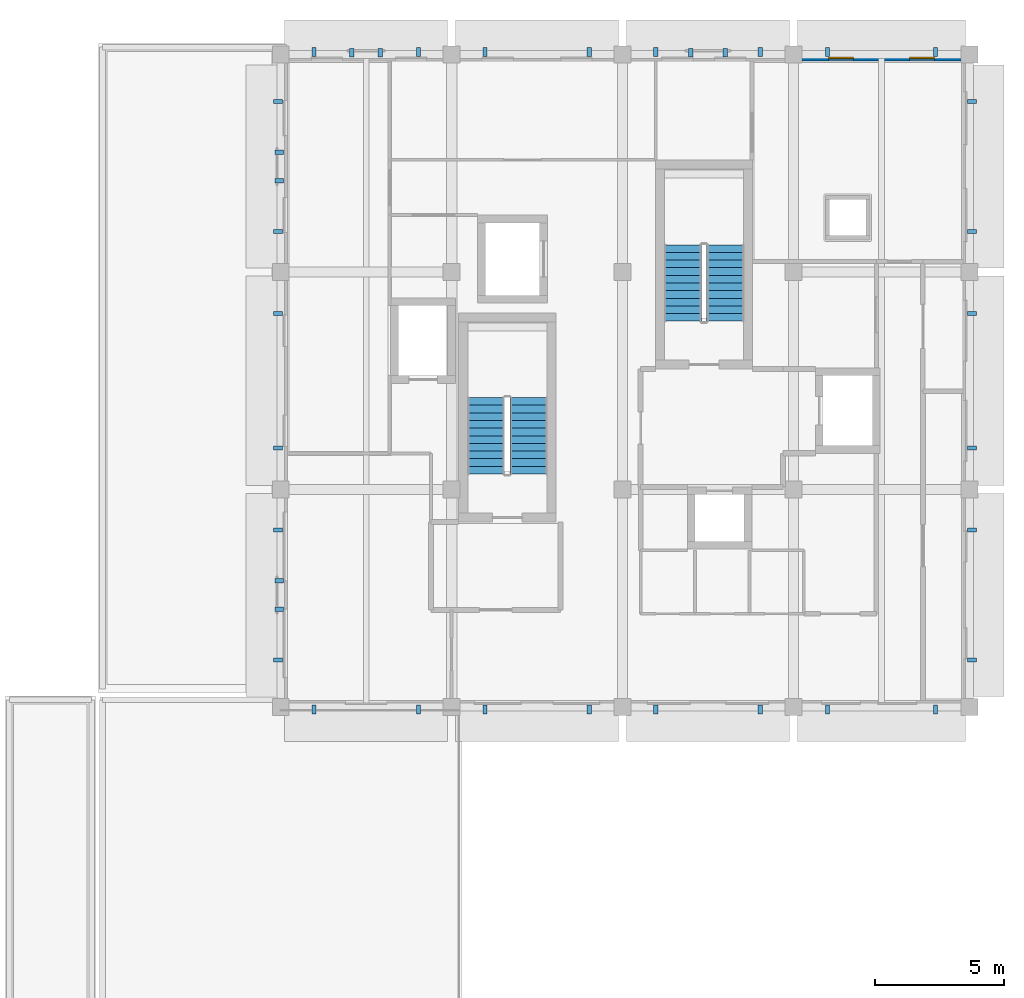
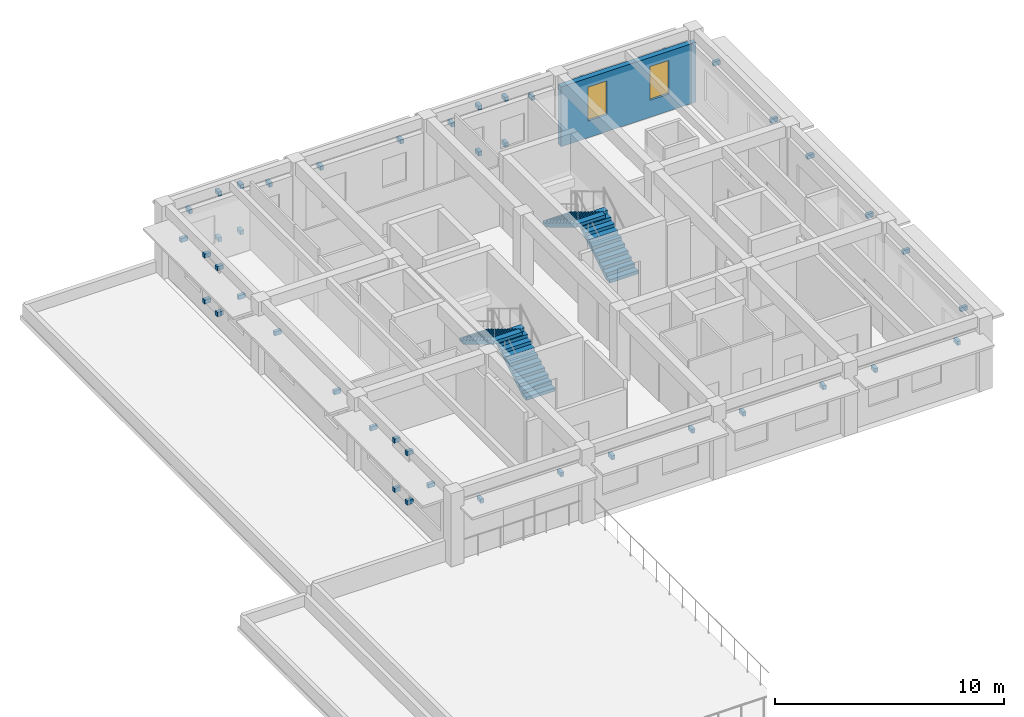
# One storey, part 5 of 7: 44 discrete accessories, 4 stair flights, 2 windows, 1 wall, 2 openings, 2 elements without a shape of their own.
"""IFC4 building model written with IfcOpenShell, lengths in metres."""

from ifc_helpers import new_model, si_unit, direction, frame, frame_2d, origin, origin_2d, place, context, subcontext, project, spatial, polyline, rectangle, outline, extrude, material, layer, layer_set, type_object, element, fill, aggregate, save


model = new_model("IFC4")

# Units and contexts
model_context = context("Model", 3, precision=1e-05, world=origin(), true_north=direction((0.0, 1.0)))
body_context = subcontext(model_context, "Body", "Model", "MODEL_VIEW")
ifc_project = project(units=[si_unit("LENGTHUNIT", "METRE"), si_unit("AREAUNIT", "SQUARE_METRE"), si_unit("VOLUMEUNIT", "CUBIC_METRE"), si_unit("PLANEANGLEUNIT", "RADIAN"), si_unit("MASSUNIT", "GRAM", prefix="KILO")], contexts=[model_context])

# Site, building, storey
site_placement = place(None, origin())
site = spatial("IfcSite", under=ifc_project, at=site_placement, CompositionType="ELEMENT")
building_placement = place(site_placement, origin())
building = spatial("IfcBuilding", under=site, at=building_placement, Name="Kolvaren Faculty of Natural Sciences", CompositionType="ELEMENT")
storey_placement = place(building_placement, frame((0.0, 0.0, 32.699951171875)))
storey = spatial("IfcBuildingStorey", under=building, at=storey_placement, Name="L07", CompositionType="ELEMENT", Elevation=32.699951171875)

# Wall, openings, windows
ifc_material_1 = material(Name="Precast concrete C35/45", Category="concrete")
ifc_layer = layer(ifc_material_1, 0.260009765625)
ifc_layer_set = layer_set([ifc_layer], Name="Precast concrete C35/45")
wall_type = type_object("IfcWallType", Name="ExteriorPrecastWall_260", PredefinedType="STANDARD", material=ifc_layer_set)
wall_placement = place(storey_placement, frame((165.199951171875, 84.070068359375, 0.0), z_axis=(0.0, 0.0, 1.0), x_axis=(1.0, 0.0, 0.0)))
wall = element("IfcWall", 1, at=wall_placement, inside=storey, type_object=wall_type, Name="L07 exterior masonry wall EW-260 (718)", PredefinedType="STANDARD", context=body_context, shape_type="SweptSolid", body=[
    extrude(rectangle(XDim=6.800048828125, YDim=0.260009765625, at=frame_2d((3.39990234375, 0.0))), origin(), (0.0, 0.0, 1.0), 3.18505859375),
])
opening_1_placement = place(wall_placement, frame((1.361083984375, 0.0, 0.89990234375)))
opening_1 = element("IfcOpeningElement", 2, at=opening_1_placement, cuts=wall, Name="Opening WIN-23", PredefinedType="OPENING", context=body_context, shape_type="SweptSolid", body=[
    extrude(rectangle(XDim=0.949951171875, YDim=1.800048828125, at=frame_2d((0.47509765625, 0.89990234375))), frame((0.0, 0.139892578125, 0.0), z_axis=(0.0, -1.0, 0.0), x_axis=(1.0, 0.0, 0.0)), (0.0, 0.0, 1.0), 0.280029296875),
])
opening_2_placement = place(wall_placement, frame((4.489013671875, 0.0, 0.89990234375)))
opening_2 = element("IfcOpeningElement", 3, at=opening_2_placement, cuts=wall, Name="Opening WIN-23", PredefinedType="OPENING", context=body_context, shape_type="SweptSolid", body=[
    extrude(rectangle(XDim=0.949951171875, YDim=1.800048828125, at=frame_2d((0.47509765625, 0.89990234375))), frame((0.0, 0.139892578125, 0.0), z_axis=(0.0, -1.0, 0.0), x_axis=(1.0, 0.0, 0.0)), (0.0, 0.0, 1.0), 0.280029296875),
])
ifc_material_2 = material(Name="Double low-E solar control insulated glazing", Category="glass")
window_type = type_object("IfcWindowType", Name="AluWindow_WIN23_950x1800", PartitioningType="SINGLE_PANEL", PredefinedType="WINDOW", material=ifc_material_2)
window_1_placement = place(opening_1_placement, origin())
window_1 = element("IfcWindow", 4, at=window_1_placement, inside=storey, type_object=window_type, Name="WIN-L07-0569", OverallHeight=1.800048828125, OverallWidth=0.949951171875, PartitioningType="SINGLE_PANEL", PredefinedType="WINDOW", context=body_context, shape_type="SweptSolid", body=[
    extrude(rectangle(XDim=0.949951171875, YDim=1.800048828125, at=frame_2d((0.47509765625, 0.89990234375))), frame((0.0, 0.030029296875, 0.0), z_axis=(0.0, -1.0, 0.0), x_axis=(1.0, 0.0, 0.0)), (0.0, 0.0, 1.0), 0.06005859375),
])
fill(opening_1, window_1)
window_2_placement = place(opening_2_placement, origin())
window_2 = element("IfcWindow", 5, at=window_2_placement, inside=storey, type_object=window_type, Name="WIN-L07-0570", OverallHeight=1.800048828125, OverallWidth=0.949951171875, PartitioningType="SINGLE_PANEL", PredefinedType="WINDOW", context=body_context, shape_type="SweptSolid", body=[
    extrude(rectangle(XDim=0.949951171875, YDim=1.800048828125, at=frame_2d((0.47509765625, 0.89990234375))), frame((0.0, 0.030029296875, 0.0), z_axis=(0.0, -1.0, 0.0), x_axis=(1.0, 0.0, 0.0)), (0.0, 0.0, 1.0), 0.06005859375),
])
fill(opening_2, window_2)

# Stair, stair flights
ifc_material_3 = material(Name="Concrete C35/45", Category="concrete")
stair_type = type_object("IfcStairType", Name="DoglegStair_H3900", PredefinedType="HALF_TURN_STAIR", material=ifc_material_3)
stair_1_placement = place(storey_placement, origin())
stair_1 = element("IfcStair", 6, at=stair_1_placement, inside=storey, type_object=stair_type, Name="L07 Protected exit stair ST-1", PredefinedType="HALF_TURN_STAIR")
stair_flight_type = type_object("IfcStairFlightType", Name="StairFlight_R1773", PredefinedType="STRAIGHT", material=ifc_material_3)
stair_flight_1_placement = place(storey_placement, frame((162.574951171875, 73.89990234375, 0.0), z_axis=(0.0, 0.0, 1.0), x_axis=(0.0, 1.0, 0.0)))
stair_flight_1 = element("IfcStairFlight", 7, at=stair_flight_1_placement, type_object=stair_flight_type, Name="ST-1 flight 1", NumberOfRisers=11, NumberOfTreads=10, PredefinedType="STRAIGHT", RiserHeight=0.177272727, TreadLength=0.295, context=body_context, shape_type="SweptSolid", body=[
    extrude(outline(polyline([(0.0, 0.0), (0.0, 0.17724609375), (0.294921875, 0.17724609375), (0.294921875, 0.3544921875), (0.590087890625, 0.3544921875), (0.590087890625, 0.53173828125), (0.885009765625, 0.53173828125), (0.885009765625, 0.708984375), (1.179931640625, 0.708984375), (1.179931640625, 0.886474609375), (1.47509765625, 0.886474609375), (1.47509765625, 1.063720703125), (1.77001953125, 1.063720703125), (1.77001953125, 1.240966796875), (2.06494140625, 1.240966796875), (2.06494140625, 1.418212890625), (2.360107421875, 1.418212890625), (2.360107421875, 1.595458984375), (2.655029296875, 1.595458984375), (2.655029296875, 1.772705078125), (2.949951171875, 1.772705078125), (2.949951171875, 1.949951171875), (2.949951171875, 1.597900390625), (0.291015625, 0.0), (0.0, 0.0)])), frame((0.0, 0.72509765625, 0.0), z_axis=(0.0, -1.0, 0.0), x_axis=(1.0, 0.0, 0.0)), (0.0, 0.0, 1.0), 1.449951171875),
])
stair_flight_2_placement = place(storey_placement, frame((160.925048828125, 76.85009765625, 1.949951171875), z_axis=(0.0, 0.0, 1.0), x_axis=(0.0, -1.0, 0.0)))
stair_flight_2 = element("IfcStairFlight", 8, at=stair_flight_2_placement, type_object=stair_flight_type, Name="ST-1 flight 2", NumberOfRisers=11, NumberOfTreads=10, PredefinedType="STRAIGHT", RiserHeight=0.177272727, TreadLength=0.295, context=body_context, shape_type="SweptSolid", body=[
    extrude(outline(polyline([(0.0, 0.0), (0.0, 0.17724609375), (0.294921875, 0.17724609375), (0.294921875, 0.3544921875), (0.590087890625, 0.3544921875), (0.590087890625, 0.53173828125), (0.885009765625, 0.53173828125), (0.885009765625, 0.708984375), (1.179931640625, 0.708984375), (1.179931640625, 0.886474609375), (1.47509765625, 0.886474609375), (1.47509765625, 1.063720703125), (1.77001953125, 1.063720703125), (1.77001953125, 1.240966796875), (2.06494140625, 1.240966796875), (2.06494140625, 1.418212890625), (2.360107421875, 1.418212890625), (2.360107421875, 1.595458984375), (2.655029296875, 1.595458984375), (2.655029296875, 1.772705078125), (2.949951171875, 1.772705078125), (2.949951171875, 1.949951171875), (2.949951171875, 1.597900390625), (0.291015625, 0.0), (0.0, 0.0)])), frame((0.0, 0.72509765625, 0.0), z_axis=(0.0, -1.0, 0.0), x_axis=(1.0, 0.0, 0.0)), (0.0, 0.0, 1.0), 1.449951171875),
])
aggregate(stair_1, [stair_flight_1, stair_flight_2])

stair_2_placement = place(storey_placement, origin())
stair_2 = element("IfcStair", 9, at=stair_2_placement, inside=storey, type_object=stair_type, Name="L07 Protected exit stair ST-2", PredefinedType="HALF_TURN_STAIR")
stair_flight_3_placement = place(storey_placement, frame((154.97509765625, 68.0, 0.0), z_axis=(0.0, 0.0, 1.0), x_axis=(0.0, 1.0, 0.0)))
stair_flight_3 = element("IfcStairFlight", 10, at=stair_flight_3_placement, type_object=stair_flight_type, Name="ST-2 flight 1", NumberOfRisers=11, NumberOfTreads=10, PredefinedType="STRAIGHT", RiserHeight=0.177272727, TreadLength=0.295, context=body_context, shape_type="SweptSolid", body=[
    extrude(outline(polyline([(0.0, 0.0), (0.0, 0.17724609375), (0.294921875, 0.17724609375), (0.294921875, 0.3544921875), (0.590087890625, 0.3544921875), (0.590087890625, 0.53173828125), (0.885009765625, 0.53173828125), (0.885009765625, 0.708984375), (1.179931640625, 0.708984375), (1.179931640625, 0.886474609375), (1.47509765625, 0.886474609375), (1.47509765625, 1.063720703125), (1.77001953125, 1.063720703125), (1.77001953125, 1.240966796875), (2.06494140625, 1.240966796875), (2.06494140625, 1.418212890625), (2.360107421875, 1.418212890625), (2.360107421875, 1.595458984375), (2.655029296875, 1.595458984375), (2.655029296875, 1.772705078125), (2.949951171875, 1.772705078125), (2.949951171875, 1.949951171875), (2.949951171875, 1.597900390625), (0.291015625, 0.0), (0.0, 0.0)])), frame((0.0, 0.72509765625, 0.0), z_axis=(0.0, -1.0, 0.0), x_axis=(1.0, 0.0, 0.0)), (0.0, 0.0, 1.0), 1.449951171875),
])
stair_flight_4_placement = place(storey_placement, frame((153.324951171875, 70.949951171875, 1.949951171875), z_axis=(0.0, 0.0, 1.0), x_axis=(0.0, -1.0, 0.0)))
stair_flight_4 = element("IfcStairFlight", 11, at=stair_flight_4_placement, type_object=stair_flight_type, Name="ST-2 flight 2", NumberOfRisers=11, NumberOfTreads=10, PredefinedType="STRAIGHT", RiserHeight=0.177272727, TreadLength=0.295, context=body_context, shape_type="SweptSolid", body=[
    extrude(outline(polyline([(0.0, 0.0), (0.0, 0.17724609375), (0.294921875, 0.17724609375), (0.294921875, 0.3544921875), (0.590087890625, 0.3544921875), (0.590087890625, 0.53173828125), (0.885009765625, 0.53173828125), (0.885009765625, 0.708984375), (1.179931640625, 0.708984375), (1.179931640625, 0.886474609375), (1.47509765625, 0.886474609375), (1.47509765625, 1.063720703125), (1.77001953125, 1.063720703125), (1.77001953125, 1.240966796875), (2.06494140625, 1.240966796875), (2.06494140625, 1.418212890625), (2.360107421875, 1.418212890625), (2.360107421875, 1.595458984375), (2.655029296875, 1.595458984375), (2.655029296875, 1.772705078125), (2.949951171875, 1.772705078125), (2.949951171875, 1.949951171875), (2.949951171875, 1.597900390625), (0.291015625, 0.0), (0.0, 0.0)])), frame((0.0, 0.72509765625, 0.0), z_axis=(0.0, -1.0, 0.0), x_axis=(1.0, 0.0, 0.0)), (0.0, 0.0, 1.0), 1.449951171875),
])
aggregate(stair_2, [stair_flight_3, stair_flight_4])

# Discrete accessories
ifc_material_4 = material(Name="Structural steel EN 10025-2 S355J2", Category="steel")
discrete_accessory_type = type_object("IfcDiscreteAccessoryType", Name="FacadeSupportBracket_260", PredefinedType="BRACKET", material=ifc_material_4)
for number, where, z_axis, x_axis, name in (
    (12, (172.10009765625, 82.37890625, 2.9150390625), (0.0, 0.0, 1.0), (0.0, -1.0, 0.0), "L07 chhajja hood steel bracket"),
    (13, (172.10009765625, 77.361083984375, 2.9150390625), (0.0, 0.0, 1.0), (0.0, -1.0, 0.0), "L07 chhajja hood steel bracket"),
    (14, (172.10009765625, 74.19189453125, 2.9150390625), (0.0, 0.0, 1.0), (0.0, -1.0, 0.0), "L07 chhajja hood steel bracket"),
    (15, (172.10009765625, 69.008056640625, 2.9150390625), (0.0, 0.0, 1.0), (0.0, -1.0, 0.0), "L07 chhajja hood steel bracket"),
    (16, (172.10009765625, 65.8388671875, 2.9150390625), (0.0, 0.0, 1.0), (0.0, -1.0, 0.0), "L07 chhajja hood steel bracket"),
    (17, (172.10009765625, 60.8212890625, 2.9150390625), (0.0, 0.0, 1.0), (0.0, -1.0, 0.0), "L07 chhajja hood steel bracket"),
    (18, (146.68408203125, 84.300048828125, 2.81494140625), (0.0, 0.0, 1.0), (1.0, 0.0, 0.0), "L07 chhajja hood steel bracket"),
    (19, (150.716064453125, 84.300048828125, 2.81494140625), (0.0, 0.0, 1.0), (1.0, 0.0, 0.0), "L07 chhajja hood steel bracket"),
):
    element("IfcDiscreteAccessory", number, at=place(storey_placement, frame(where, z_axis=z_axis, x_axis=x_axis)), inside=storey, type_object=discrete_accessory_type, Name=name, PredefinedType="BRACKET", context=body_context, shape_type="SweptSolid", body=[
        extrude(rectangle(XDim=0.159912109375, YDim=0.340087890625, at=origin_2d()), origin(), (0.0, 0.0, 1.0), 0.219970703125),
    ])
for number, where, z_axis, x_axis, name in (
    (20, (148.14892578125, 84.260009765625, 0.81982421875), (0.0, 0.0, 1.0), (1.0, 0.0, 0.0), "L07 jali screen wall bracket"),
    (21, (149.2509765625, 84.260009765625, 0.81982421875), (0.0, 0.0, 1.0), (1.0, 0.0, 0.0), "L07 jali screen wall bracket"),
    (22, (148.14892578125, 84.260009765625, 3.26025390625), (0.0, 0.0, 1.0), (1.0, 0.0, 0.0), "L07 jali screen wall bracket"),
    (23, (149.2509765625, 84.260009765625, 3.26025390625), (0.0, 0.0, 1.0), (1.0, 0.0, 0.0), "L07 jali screen wall bracket"),
):
    element("IfcDiscreteAccessory", number, at=place(storey_placement, frame(where, z_axis=z_axis, x_axis=x_axis)), inside=storey, type_object=discrete_accessory_type, Name=name, PredefinedType="BRACKET", context=body_context, shape_type="SweptSolid", body=[
        extrude(rectangle(XDim=0.179931640625, YDim=0.320068359375, at=origin_2d()), origin(), (0.0, 0.0, 1.0), 0.219970703125),
    ])
for number, where, z_axis, x_axis, name in (
    (24, (153.283935546875, 84.300048828125, 2.81494140625), (0.0, 0.0, 1.0), (1.0, 0.0, 0.0), "L07 chhajja hood steel bracket"),
    (25, (157.31591796875, 84.300048828125, 2.81494140625), (0.0, 0.0, 1.0), (1.0, 0.0, 0.0), "L07 chhajja hood steel bracket"),
    (26, (159.884033203125, 84.300048828125, 2.81494140625), (0.0, 0.0, 1.0), (1.0, 0.0, 0.0), "L07 chhajja hood steel bracket"),
    (27, (163.916015625, 84.300048828125, 2.81494140625), (0.0, 0.0, 1.0), (1.0, 0.0, 0.0), "L07 chhajja hood steel bracket"),
):
    element("IfcDiscreteAccessory", number, at=place(storey_placement, frame(where, z_axis=z_axis, x_axis=x_axis)), inside=storey, type_object=discrete_accessory_type, Name=name, PredefinedType="BRACKET", context=body_context, shape_type="SweptSolid", body=[
        extrude(rectangle(XDim=0.159912109375, YDim=0.340087890625, at=origin_2d()), origin(), (0.0, 0.0, 1.0), 0.219970703125),
    ])
for number, where, z_axis, x_axis, name in (
    (28, (161.235107421875, 84.260009765625, 0.81982421875), (0.0, 0.0, 1.0), (1.0, 0.0, 0.0), "L07 jali screen wall bracket"),
    (29, (162.56494140625, 84.260009765625, 0.81982421875), (0.0, 0.0, 1.0), (1.0, 0.0, 0.0), "L07 jali screen wall bracket"),
    (30, (161.235107421875, 84.260009765625, 3.26025390625), (0.0, 0.0, 1.0), (1.0, 0.0, 0.0), "L07 jali screen wall bracket"),
    (31, (162.56494140625, 84.260009765625, 3.26025390625), (0.0, 0.0, 1.0), (1.0, 0.0, 0.0), "L07 jali screen wall bracket"),
):
    element("IfcDiscreteAccessory", number, at=place(storey_placement, frame(where, z_axis=z_axis, x_axis=x_axis)), inside=storey, type_object=discrete_accessory_type, Name=name, PredefinedType="BRACKET", context=body_context, shape_type="SweptSolid", body=[
        extrude(rectangle(XDim=0.179931640625, YDim=0.320068359375, at=origin_2d()), origin(), (0.0, 0.0, 1.0), 0.219970703125),
    ])
for number, where, z_axis, x_axis, name in (
    (32, (166.52001953125, 84.300048828125, 2.81494140625), (0.0, 0.0, 1.0), (1.0, 0.0, 0.0), "L07 chhajja hood steel bracket"),
    (33, (170.679931640625, 84.300048828125, 2.81494140625), (0.0, 0.0, 1.0), (1.0, 0.0, 0.0), "L07 chhajja hood steel bracket"),
    (34, (145.300048828125, 60.8212890625, 2.9150390625), (0.0, 0.0, 1.0), (0.0, 1.0, 0.0), "L07 chhajja hood steel bracket"),
    (35, (145.300048828125, 65.8388671875, 2.9150390625), (0.0, 0.0, 1.0), (0.0, 1.0, 0.0), "L07 chhajja hood steel bracket"),
):
    element("IfcDiscreteAccessory", number, at=place(storey_placement, frame(where, z_axis=z_axis, x_axis=x_axis)), inside=storey, type_object=discrete_accessory_type, Name=name, PredefinedType="BRACKET", context=body_context, shape_type="SweptSolid", body=[
        extrude(rectangle(XDim=0.159912109375, YDim=0.340087890625, at=origin_2d()), origin(), (0.0, 0.0, 1.0), 0.219970703125),
    ])
for number, where, z_axis, x_axis, name in (
    (36, (145.340087890625, 62.779052734375, 0.81982421875), (0.0, 0.0, 1.0), (0.0, 1.0, 0.0), "L07 jali screen wall bracket"),
    (37, (145.340087890625, 63.881103515625, 0.81982421875), (0.0, 0.0, 1.0), (0.0, 1.0, 0.0), "L07 jali screen wall bracket"),
    (38, (145.340087890625, 62.779052734375, 3.44482421875), (0.0, 0.0, 1.0), (0.0, 1.0, 0.0), "L07 jali screen wall bracket"),
    (39, (145.340087890625, 63.881103515625, 3.44482421875), (0.0, 0.0, 1.0), (0.0, 1.0, 0.0), "L07 jali screen wall bracket"),
):
    element("IfcDiscreteAccessory", number, at=place(storey_placement, frame(where, z_axis=z_axis, x_axis=x_axis)), inside=storey, type_object=discrete_accessory_type, Name=name, PredefinedType="BRACKET", context=body_context, shape_type="SweptSolid", body=[
        extrude(rectangle(XDim=0.179931640625, YDim=0.320068359375, at=origin_2d()), origin(), (0.0, 0.0, 1.0), 0.219970703125),
    ])
for number, where, z_axis, x_axis, name in (
    (40, (145.300048828125, 69.008056640625, 2.9150390625), (0.0, 0.0, 1.0), (0.0, 1.0, 0.0), "L07 chhajja hood steel bracket"),
    (41, (145.300048828125, 74.19189453125, 2.9150390625), (0.0, 0.0, 1.0), (0.0, 1.0, 0.0), "L07 chhajja hood steel bracket"),
    (42, (145.300048828125, 77.361083984375, 2.9150390625), (0.0, 0.0, 1.0), (0.0, 1.0, 0.0), "L07 chhajja hood steel bracket"),
    (43, (145.300048828125, 82.37890625, 2.9150390625), (0.0, 0.0, 1.0), (0.0, 1.0, 0.0), "L07 chhajja hood steel bracket"),
):
    element("IfcDiscreteAccessory", number, at=place(storey_placement, frame(where, z_axis=z_axis, x_axis=x_axis)), inside=storey, type_object=discrete_accessory_type, Name=name, PredefinedType="BRACKET", context=body_context, shape_type="SweptSolid", body=[
        extrude(rectangle(XDim=0.159912109375, YDim=0.340087890625, at=origin_2d()), origin(), (0.0, 0.0, 1.0), 0.219970703125),
    ])
for number, where, z_axis, x_axis, name in (
    (44, (145.340087890625, 79.319091796875, 0.81982421875), (0.0, 0.0, 1.0), (0.0, 1.0, 0.0), "L07 jali screen wall bracket"),
    (45, (145.340087890625, 80.4208984375, 0.81982421875), (0.0, 0.0, 1.0), (0.0, 1.0, 0.0), "L07 jali screen wall bracket"),
    (46, (145.340087890625, 79.319091796875, 3.26025390625), (0.0, 0.0, 1.0), (0.0, 1.0, 0.0), "L07 jali screen wall bracket"),
    (47, (145.340087890625, 80.4208984375, 3.26025390625), (0.0, 0.0, 1.0), (0.0, 1.0, 0.0), "L07 jali screen wall bracket"),
):
    element("IfcDiscreteAccessory", number, at=place(storey_placement, frame(where, z_axis=z_axis, x_axis=x_axis)), inside=storey, type_object=discrete_accessory_type, Name=name, PredefinedType="BRACKET", context=body_context, shape_type="SweptSolid", body=[
        extrude(rectangle(XDim=0.179931640625, YDim=0.320068359375, at=origin_2d()), origin(), (0.0, 0.0, 1.0), 0.219970703125),
    ])
for number, where, z_axis, x_axis, name in (
    (48, (170.679931640625, 58.89990234375, 2.81494140625), (0.0, 0.0, 1.0), (-1.0, 0.0, 0.0), "L07 chhajja hood steel bracket"),
    (49, (166.52001953125, 58.89990234375, 2.81494140625), (0.0, 0.0, 1.0), (-1.0, 0.0, 0.0), "L07 chhajja hood steel bracket"),
    (50, (163.916015625, 58.89990234375, 2.81494140625), (0.0, 0.0, 1.0), (-1.0, 0.0, 0.0), "L07 chhajja hood steel bracket"),
    (51, (159.884033203125, 58.89990234375, 2.81494140625), (0.0, 0.0, 1.0), (-1.0, 0.0, 0.0), "L07 chhajja hood steel bracket"),
    (52, (157.31591796875, 58.89990234375, 2.81494140625), (0.0, 0.0, 1.0), (-1.0, 0.0, 0.0), "L07 chhajja hood steel bracket"),
    (53, (153.283935546875, 58.89990234375, 2.81494140625), (0.0, 0.0, 1.0), (-1.0, 0.0, 0.0), "L07 chhajja hood steel bracket"),
    (54, (150.716064453125, 58.89990234375, 2.81494140625), (0.0, 0.0, 1.0), (-1.0, 0.0, 0.0), "L07 chhajja hood steel bracket"),
    (55, (146.68408203125, 58.89990234375, 2.81494140625), (0.0, 0.0, 1.0), (-1.0, 0.0, 0.0), "L07 chhajja hood steel bracket"),
):
    element("IfcDiscreteAccessory", number, at=place(storey_placement, frame(where, z_axis=z_axis, x_axis=x_axis)), inside=storey, type_object=discrete_accessory_type, Name=name, PredefinedType="BRACKET", context=body_context, shape_type="SweptSolid", body=[
        extrude(rectangle(XDim=0.159912109375, YDim=0.340087890625, at=origin_2d()), origin(), (0.0, 0.0, 1.0), 0.219970703125),
    ])

save(model, "model.ifc")
